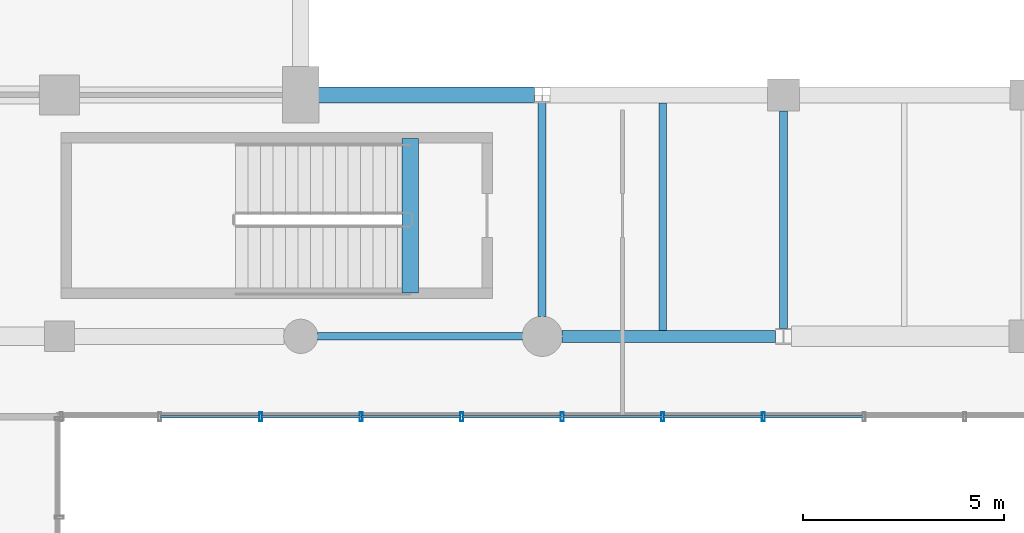
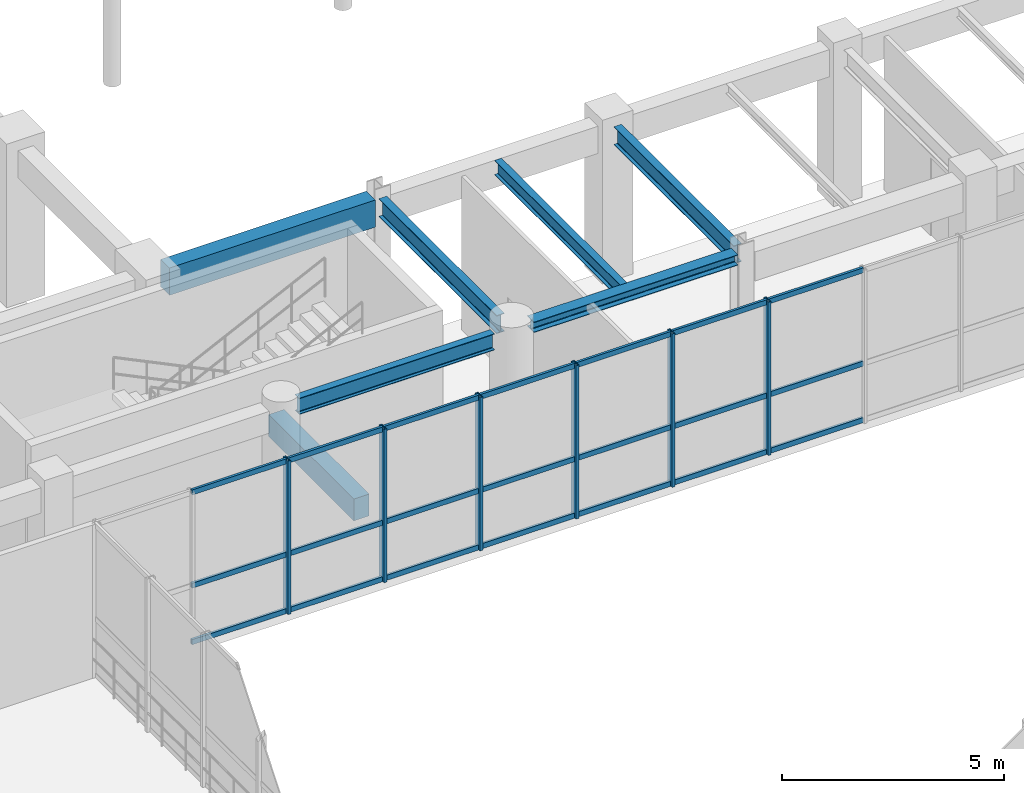
# One storey, part 27 of 133: 27 members, 7 beams, 1 element without a shape of its own.
"""IFC4 building model written with IfcOpenShell, lengths in metres."""

from ifc_helpers import new_model, si_unit, direction, frame, origin, origin_2d, place, context, subcontext, project, spatial, rectangle, hollow_rectangle, i_section, extrude, material, material_profile, profile_set, type_object, element, aggregate, save


model = new_model("IFC4")

# Units and contexts
model_context = context("Model", 3, precision=1e-05, world=origin(), true_north=direction((0.0, 1.0)))
body_context = subcontext(model_context, "Body", "Model", "MODEL_VIEW")
ifc_project = project(units=[si_unit("LENGTHUNIT", "METRE"), si_unit("AREAUNIT", "SQUARE_METRE"), si_unit("VOLUMEUNIT", "CUBIC_METRE"), si_unit("PLANEANGLEUNIT", "RADIAN"), si_unit("MASSUNIT", "GRAM", prefix="KILO"), si_unit("THERMODYNAMICTEMPERATUREUNIT", "KELVIN"), si_unit("POWERUNIT", "WATT")], contexts=[model_context])

# Site, building, storey
site_placement = place(None, origin())
site = spatial("IfcSite", under=ifc_project, at=site_placement, CompositionType="ELEMENT")
building_placement = place(site_placement, origin())
building = spatial("IfcBuilding", under=site, at=building_placement, Name="Phaisarnlok Congress Hotel", CompositionType="ELEMENT")
storey_placement = place(building_placement, frame((0.0, 0.0, 6.0)))
storey = spatial("IfcBuildingStorey", under=building, at=storey_placement, Name="L01", CompositionType="ELEMENT", Elevation=6.0)

# Beams
ifc_material_1 = material(Name="Concrete C40/50", Category="concrete")
ifc_material_profile_1 = material_profile(ifc_material_1, rectangle(XDim=0.39990234375, YDim=0.60009765625, at=origin_2d()), Name="RC 400x600")
ifc_profile_set_1 = profile_set([ifc_material_profile_1], Name="Concrete C40/50")
beam_type_1 = type_object("IfcBeamType", Name="BM-RC-400x600", PredefinedType="BEAM", material=ifc_profile_set_1)
beam_1_placement = place(storey_placement, frame((68.719970703125, 37.080078125, -0.300048828125), z_axis=(0.0, 1.0, 0.0), x_axis=(-1.0, 0.0, 0.0)))
element("IfcBeam", 1, at=beam_1_placement, inside=storey, type_object=beam_type_1, Name="Stair landing header beam B-02 (STAIR-POD-S L01)", PredefinedType="BEAM", context=body_context, shape_type="SweptSolid", body=[
    extrude(rectangle(XDim=0.39990234375, YDim=0.60009765625, at=origin_2d()), origin(), (0.0, 0.0, 1.0), 3.83984375),
])
ifc_material_2 = material(Name="Steel S355", Category="steel")
ifc_material_profile_2 = material_profile(ifc_material_2, i_section(OverallWidth=0.300048828125, OverallDepth=0.2900390625, WebThickness=0.008544921875, FlangeThickness=0.013916015625, FilletRadius=0.027099609375, at=origin_2d()), Name="HEA 300")
ifc_profile_set_2 = profile_set([ifc_material_profile_2], Name="Steel S355")
beam_type_2 = type_object("IfcBeamType", Name="BM-STL-HEA300", PredefinedType="BEAM", material=ifc_profile_set_2)
beam_2_placement = place(storey_placement, frame((72.4951171875, 36.0, 4.074951171875), z_axis=(1.0, 0.0, 0.0), x_axis=(0.0, 1.0, 0.0)))
element("IfcBeam", 2, at=beam_2_placement, inside=storey, type_object=beam_type_2, Name="Beam SB-05", PredefinedType="BEAM", context=body_context, shape_type="SweptSolid", body=[
    extrude(i_section(OverallWidth=0.300048828125, OverallDepth=0.2900390625, WebThickness=0.008544921875, FlangeThickness=0.013916015625, FilletRadius=0.027099609375, at=origin_2d()), origin(), (0.0, 0.0, 1.0), 5.309326171875),
])
ifc_material_profile_3 = material_profile(ifc_material_2, i_section(OverallWidth=0.18994140625, OverallDepth=0.449951171875, WebThickness=0.009521484375, FlangeThickness=0.0146484375, FilletRadius=0.02099609375, at=origin_2d()), Name="IPE 450")
ifc_profile_set_3 = profile_set([ifc_material_profile_3], Name="Steel S355")
beam_type_3 = type_object("IfcBeamType", Name="BM-STL-IPE450", PredefinedType="BEAM", material=ifc_profile_set_3)
beam_3_placement = place(storey_placement, frame((66.419921875, 36.0, 3.9951171875), z_axis=(1.0, 0.0, 0.0), x_axis=(0.0, 1.0, 0.0)))
element("IfcBeam", 3, at=beam_3_placement, inside=storey, type_object=beam_type_3, Name="Beam SB-01", PredefinedType="BEAM", context=body_context, shape_type="SweptSolid", body=[
    extrude(i_section(OverallWidth=0.18994140625, OverallDepth=0.449951171875, WebThickness=0.009521484375, FlangeThickness=0.0146484375, FilletRadius=0.02099609375, at=origin_2d()), origin(), (0.0, 0.0, 1.0), 5.0849609375),
])
ifc_material_profile_4 = material_profile(ifc_material_2, i_section(OverallWidth=0.199951171875, OverallDepth=0.5, WebThickness=0.01025390625, FlangeThickness=0.01611328125, FilletRadius=0.02099609375, at=origin_2d()), Name="IPE 500")
ifc_profile_set_4 = profile_set([ifc_material_profile_4], Name="Steel S355")
beam_type_4 = type_object("IfcBeamType", Name="BM-STL-IPE500", PredefinedType="BEAM", material=ifc_profile_set_4)
beam_4_placement = place(storey_placement, frame((72.0, 36.4951171875, 3.969970703125), z_axis=(0.0, 1.0, 0.0), x_axis=(-1.0, 0.0, 0.0)))
element("IfcBeam", 4, at=beam_4_placement, inside=storey, type_object=beam_type_4, Name="Beam SB-02", PredefinedType="BEAM", context=body_context, shape_type="SweptSolid", body=[
    extrude(i_section(OverallWidth=0.199951171875, OverallDepth=0.5, WebThickness=0.01025390625, FlangeThickness=0.01611328125, FilletRadius=0.02099609375, at=origin_2d()), origin(), (0.0, 0.0, 1.0), 5.310302734375),
])
beam_5_placement = place(storey_placement, frame((78.0, 36.194580078125, 3.969970703125), z_axis=(0.0, 1.0, 0.0), x_axis=(-1.0, 0.0, 0.0)))
element("IfcBeam", 5, at=beam_5_placement, inside=storey, type_object=beam_type_4, Name="Beam SB-02", PredefinedType="BEAM", context=body_context, shape_type="SweptSolid", body=[
    extrude(i_section(OverallWidth=0.199951171875, OverallDepth=0.5, WebThickness=0.01025390625, FlangeThickness=0.01611328125, FilletRadius=0.02099609375, at=origin_2d()), origin(), (0.0, 0.0, 1.0), 5.410400390625),
])

# Curtain wall, members
ifc_material_3 = material(Name="Thermally Broken Unitised Aluminium & Low-E Glazing", Category="aluminium")
curtain_wall_type = type_object("IfcCurtainWallType", Name="CW-UNIT-22", PredefinedType="NOTDEFINED", material=ifc_material_3)
curtain_wall_placement = place(storey_placement, origin())
curtain_wall = element("IfcCurtainWall", 6, at=curtain_wall_placement, inside=storey, type_object=curtain_wall_type, Name="Unitised curtain wall CW-22 (L01)", PredefinedType="NOTDEFINED")
ifc_material_4 = material(Name="Anodised Aluminium Alloy 6063-T6", Category="aluminium")
ifc_material_profile_5 = material_profile(ifc_material_4, hollow_rectangle(XDim=0.074951171875, YDim=0.219970703125, WallThickness=0.0048828125, at=origin_2d()), Name="ALU-M 75x220x5")
ifc_profile_set_5 = profile_set([ifc_material_profile_5], Name="Anodised Aluminium Alloy 6063-T6")
member_type_1 = type_object("IfcMemberType", Name="CWM-220", PredefinedType="MULLION", material=ifc_profile_set_5)
member_1_placement = place(storey_placement, frame((65.0, 34.0, 0.0), z_axis=(0.0, 0.0, 1.0), x_axis=(1.0, 0.0, 0.0)))
member_1 = element("IfcMember", 7, at=member_1_placement, type_object=member_type_1, Name="Curtain wall mullion CWM-02", PredefinedType="MULLION", context=body_context, shape_type="SweptSolid", body=[
    extrude(hollow_rectangle(XDim=0.074951171875, YDim=0.219970703125, WallThickness=0.0048828125, at=origin_2d()), origin(), (0.0, 0.0, 1.0), 4.219970703125),
])
member_2_placement = place(storey_placement, frame((67.5, 34.0, 0.0), z_axis=(0.0, 0.0, 1.0), x_axis=(1.0, 0.0, 0.0)))
member_2 = element("IfcMember", 8, at=member_2_placement, type_object=member_type_1, Name="Curtain wall mullion CWM-02", PredefinedType="MULLION", context=body_context, shape_type="SweptSolid", body=[
    extrude(hollow_rectangle(XDim=0.074951171875, YDim=0.219970703125, WallThickness=0.0048828125, at=origin_2d()), origin(), (0.0, 0.0, 1.0), 4.219970703125),
])
member_3_placement = place(storey_placement, frame((70.0, 34.0, 0.0), z_axis=(0.0, 0.0, 1.0), x_axis=(1.0, 0.0, 0.0)))
member_3 = element("IfcMember", 9, at=member_3_placement, type_object=member_type_1, Name="Curtain wall mullion CWM-02", PredefinedType="MULLION", context=body_context, shape_type="SweptSolid", body=[
    extrude(hollow_rectangle(XDim=0.074951171875, YDim=0.219970703125, WallThickness=0.0048828125, at=origin_2d()), origin(), (0.0, 0.0, 1.0), 4.219970703125),
])
member_4_placement = place(storey_placement, frame((72.5, 34.0, 0.0), z_axis=(0.0, 0.0, 1.0), x_axis=(1.0, 0.0, 0.0)))
member_4 = element("IfcMember", 10, at=member_4_placement, type_object=member_type_1, Name="Curtain wall mullion CWM-02", PredefinedType="MULLION", context=body_context, shape_type="SweptSolid", body=[
    extrude(hollow_rectangle(XDim=0.074951171875, YDim=0.219970703125, WallThickness=0.0048828125, at=origin_2d()), origin(), (0.0, 0.0, 1.0), 4.219970703125),
])
member_5_placement = place(storey_placement, frame((75.0, 34.0, 0.0), z_axis=(0.0, 0.0, 1.0), x_axis=(1.0, 0.0, 0.0)))
member_5 = element("IfcMember", 11, at=member_5_placement, type_object=member_type_1, Name="Curtain wall mullion CWM-02", PredefinedType="MULLION", context=body_context, shape_type="SweptSolid", body=[
    extrude(hollow_rectangle(XDim=0.074951171875, YDim=0.219970703125, WallThickness=0.0048828125, at=origin_2d()), origin(), (0.0, 0.0, 1.0), 4.219970703125),
])
member_6_placement = place(storey_placement, frame((77.5, 34.0, 0.0), z_axis=(0.0, 0.0, 1.0), x_axis=(1.0, 0.0, 0.0)))
member_6 = element("IfcMember", 12, at=member_6_placement, type_object=member_type_1, Name="Curtain wall mullion CWM-02", PredefinedType="MULLION", context=body_context, shape_type="SweptSolid", body=[
    extrude(hollow_rectangle(XDim=0.074951171875, YDim=0.219970703125, WallThickness=0.0048828125, at=origin_2d()), origin(), (0.0, 0.0, 1.0), 4.219970703125),
])
ifc_material_profile_6 = material_profile(ifc_material_4, hollow_rectangle(XDim=0.06494140625, YDim=0.139892578125, WallThickness=0.00390625, at=origin_2d()), Name="ALU-T 65x140x4")
ifc_profile_set_6 = profile_set([ifc_material_profile_6], Name="Anodised Aluminium Alloy 6063-T6")
member_type_2 = type_object("IfcMemberType", Name="CWT-150", PredefinedType="USERDEFINED", material=ifc_profile_set_6)
member_7_placement = place(storey_placement, frame((62.514892578125, 34.0, 0.050048828125), z_axis=(1.0, 0.0, 0.0), x_axis=(0.0, 1.0, 0.0)))
member_7 = element("IfcMember", 13, at=member_7_placement, type_object=member_type_2, Name="Curtain wall transom CWT-01", ObjectType="TRANSOM", PredefinedType="USERDEFINED", context=body_context, shape_type="SweptSolid", body=[
    extrude(hollow_rectangle(XDim=0.06494140625, YDim=0.139892578125, WallThickness=0.00390625, at=origin_2d()), origin(), (0.0, 0.0, 1.0), 2.47021484375),
])
member_8_placement = place(storey_placement, frame((62.514892578125, 34.0, 1.603515625), z_axis=(1.0, 0.0, 0.0), x_axis=(0.0, 1.0, 0.0)))
member_8 = element("IfcMember", 14, at=member_8_placement, type_object=member_type_2, Name="Curtain wall transom CWT-01", ObjectType="TRANSOM", PredefinedType="USERDEFINED", context=body_context, shape_type="SweptSolid", body=[
    extrude(hollow_rectangle(XDim=0.06494140625, YDim=0.139892578125, WallThickness=0.00390625, at=origin_2d()), origin(), (0.0, 0.0, 1.0), 2.47021484375),
])
member_9_placement = place(storey_placement, frame((62.514892578125, 34.0, 4.169921875), z_axis=(1.0, 0.0, 0.0), x_axis=(0.0, 1.0, 0.0)))
member_9 = element("IfcMember", 15, at=member_9_placement, type_object=member_type_2, Name="Curtain wall transom CWT-01", ObjectType="TRANSOM", PredefinedType="USERDEFINED", context=body_context, shape_type="SweptSolid", body=[
    extrude(hollow_rectangle(XDim=0.06494140625, YDim=0.139892578125, WallThickness=0.00390625, at=origin_2d()), origin(), (0.0, 0.0, 1.0), 2.47021484375),
])
member_10_placement = place(storey_placement, frame((65.014892578125, 34.0, 0.050048828125), z_axis=(1.0, 0.0, 0.0), x_axis=(0.0, 1.0, 0.0)))
member_10 = element("IfcMember", 16, at=member_10_placement, type_object=member_type_2, Name="Curtain wall transom CWT-01", ObjectType="TRANSOM", PredefinedType="USERDEFINED", context=body_context, shape_type="SweptSolid", body=[
    extrude(hollow_rectangle(XDim=0.06494140625, YDim=0.139892578125, WallThickness=0.00390625, at=origin_2d()), origin(), (0.0, 0.0, 1.0), 2.47021484375),
])
member_11_placement = place(storey_placement, frame((65.014892578125, 34.0, 1.603515625), z_axis=(1.0, 0.0, 0.0), x_axis=(0.0, 1.0, 0.0)))
member_11 = element("IfcMember", 17, at=member_11_placement, type_object=member_type_2, Name="Curtain wall transom CWT-01", ObjectType="TRANSOM", PredefinedType="USERDEFINED", context=body_context, shape_type="SweptSolid", body=[
    extrude(hollow_rectangle(XDim=0.06494140625, YDim=0.139892578125, WallThickness=0.00390625, at=origin_2d()), origin(), (0.0, 0.0, 1.0), 2.47021484375),
])
member_12_placement = place(storey_placement, frame((65.014892578125, 34.0, 4.169921875), z_axis=(1.0, 0.0, 0.0), x_axis=(0.0, 1.0, 0.0)))
member_12 = element("IfcMember", 18, at=member_12_placement, type_object=member_type_2, Name="Curtain wall transom CWT-01", ObjectType="TRANSOM", PredefinedType="USERDEFINED", context=body_context, shape_type="SweptSolid", body=[
    extrude(hollow_rectangle(XDim=0.06494140625, YDim=0.139892578125, WallThickness=0.00390625, at=origin_2d()), origin(), (0.0, 0.0, 1.0), 2.47021484375),
])
member_13_placement = place(storey_placement, frame((67.514892578125, 34.0, 0.050048828125), z_axis=(1.0, 0.0, 0.0), x_axis=(0.0, 1.0, 0.0)))
member_13 = element("IfcMember", 19, at=member_13_placement, type_object=member_type_2, Name="Curtain wall transom CWT-01", ObjectType="TRANSOM", PredefinedType="USERDEFINED", context=body_context, shape_type="SweptSolid", body=[
    extrude(hollow_rectangle(XDim=0.06494140625, YDim=0.139892578125, WallThickness=0.00390625, at=origin_2d()), origin(), (0.0, 0.0, 1.0), 2.47021484375),
])
member_14_placement = place(storey_placement, frame((67.514892578125, 34.0, 1.603515625), z_axis=(1.0, 0.0, 0.0), x_axis=(0.0, 1.0, 0.0)))
member_14 = element("IfcMember", 20, at=member_14_placement, type_object=member_type_2, Name="Curtain wall transom CWT-01", ObjectType="TRANSOM", PredefinedType="USERDEFINED", context=body_context, shape_type="SweptSolid", body=[
    extrude(hollow_rectangle(XDim=0.06494140625, YDim=0.139892578125, WallThickness=0.00390625, at=origin_2d()), origin(), (0.0, 0.0, 1.0), 2.47021484375),
])
member_15_placement = place(storey_placement, frame((67.514892578125, 34.0, 4.169921875), z_axis=(1.0, 0.0, 0.0), x_axis=(0.0, 1.0, 0.0)))
member_15 = element("IfcMember", 21, at=member_15_placement, type_object=member_type_2, Name="Curtain wall transom CWT-01", ObjectType="TRANSOM", PredefinedType="USERDEFINED", context=body_context, shape_type="SweptSolid", body=[
    extrude(hollow_rectangle(XDim=0.06494140625, YDim=0.139892578125, WallThickness=0.00390625, at=origin_2d()), origin(), (0.0, 0.0, 1.0), 2.47021484375),
])
member_16_placement = place(storey_placement, frame((70.014892578125, 34.0, 0.050048828125), z_axis=(1.0, 0.0, 0.0), x_axis=(0.0, 1.0, 0.0)))
member_16 = element("IfcMember", 22, at=member_16_placement, type_object=member_type_2, Name="Curtain wall transom CWT-01", ObjectType="TRANSOM", PredefinedType="USERDEFINED", context=body_context, shape_type="SweptSolid", body=[
    extrude(hollow_rectangle(XDim=0.06494140625, YDim=0.139892578125, WallThickness=0.00390625, at=origin_2d()), origin(), (0.0, 0.0, 1.0), 2.47021484375),
])
member_17_placement = place(storey_placement, frame((70.014892578125, 34.0, 1.603515625), z_axis=(1.0, 0.0, 0.0), x_axis=(0.0, 1.0, 0.0)))
member_17 = element("IfcMember", 23, at=member_17_placement, type_object=member_type_2, Name="Curtain wall transom CWT-01", ObjectType="TRANSOM", PredefinedType="USERDEFINED", context=body_context, shape_type="SweptSolid", body=[
    extrude(hollow_rectangle(XDim=0.06494140625, YDim=0.139892578125, WallThickness=0.00390625, at=origin_2d()), origin(), (0.0, 0.0, 1.0), 2.47021484375),
])
member_18_placement = place(storey_placement, frame((70.014892578125, 34.0, 4.169921875), z_axis=(1.0, 0.0, 0.0), x_axis=(0.0, 1.0, 0.0)))
member_18 = element("IfcMember", 24, at=member_18_placement, type_object=member_type_2, Name="Curtain wall transom CWT-01", ObjectType="TRANSOM", PredefinedType="USERDEFINED", context=body_context, shape_type="SweptSolid", body=[
    extrude(hollow_rectangle(XDim=0.06494140625, YDim=0.139892578125, WallThickness=0.00390625, at=origin_2d()), origin(), (0.0, 0.0, 1.0), 2.47021484375),
])
member_19_placement = place(storey_placement, frame((72.514892578125, 34.0, 0.050048828125), z_axis=(1.0, 0.0, 0.0), x_axis=(0.0, 1.0, 0.0)))
member_19 = element("IfcMember", 25, at=member_19_placement, type_object=member_type_2, Name="Curtain wall transom CWT-01", ObjectType="TRANSOM", PredefinedType="USERDEFINED", context=body_context, shape_type="SweptSolid", body=[
    extrude(hollow_rectangle(XDim=0.06494140625, YDim=0.139892578125, WallThickness=0.00390625, at=origin_2d()), origin(), (0.0, 0.0, 1.0), 2.47021484375),
])
member_20_placement = place(storey_placement, frame((72.514892578125, 34.0, 1.603515625), z_axis=(1.0, 0.0, 0.0), x_axis=(0.0, 1.0, 0.0)))
member_20 = element("IfcMember", 26, at=member_20_placement, type_object=member_type_2, Name="Curtain wall transom CWT-01", ObjectType="TRANSOM", PredefinedType="USERDEFINED", context=body_context, shape_type="SweptSolid", body=[
    extrude(hollow_rectangle(XDim=0.06494140625, YDim=0.139892578125, WallThickness=0.00390625, at=origin_2d()), origin(), (0.0, 0.0, 1.0), 2.47021484375),
])
member_21_placement = place(storey_placement, frame((72.514892578125, 34.0, 4.169921875), z_axis=(1.0, 0.0, 0.0), x_axis=(0.0, 1.0, 0.0)))
member_21 = element("IfcMember", 27, at=member_21_placement, type_object=member_type_2, Name="Curtain wall transom CWT-01", ObjectType="TRANSOM", PredefinedType="USERDEFINED", context=body_context, shape_type="SweptSolid", body=[
    extrude(hollow_rectangle(XDim=0.06494140625, YDim=0.139892578125, WallThickness=0.00390625, at=origin_2d()), origin(), (0.0, 0.0, 1.0), 2.47021484375),
])
member_22_placement = place(storey_placement, frame((75.014892578125, 34.0, 0.050048828125), z_axis=(1.0, 0.0, 0.0), x_axis=(0.0, 1.0, 0.0)))
member_22 = element("IfcMember", 28, at=member_22_placement, type_object=member_type_2, Name="Curtain wall transom CWT-01", ObjectType="TRANSOM", PredefinedType="USERDEFINED", context=body_context, shape_type="SweptSolid", body=[
    extrude(hollow_rectangle(XDim=0.06494140625, YDim=0.139892578125, WallThickness=0.00390625, at=origin_2d()), origin(), (0.0, 0.0, 1.0), 2.47021484375),
])
member_23_placement = place(storey_placement, frame((75.014892578125, 34.0, 1.603515625), z_axis=(1.0, 0.0, 0.0), x_axis=(0.0, 1.0, 0.0)))
member_23 = element("IfcMember", 29, at=member_23_placement, type_object=member_type_2, Name="Curtain wall transom CWT-01", ObjectType="TRANSOM", PredefinedType="USERDEFINED", context=body_context, shape_type="SweptSolid", body=[
    extrude(hollow_rectangle(XDim=0.06494140625, YDim=0.139892578125, WallThickness=0.00390625, at=origin_2d()), origin(), (0.0, 0.0, 1.0), 2.47021484375),
])
member_24_placement = place(storey_placement, frame((75.014892578125, 34.0, 4.169921875), z_axis=(1.0, 0.0, 0.0), x_axis=(0.0, 1.0, 0.0)))
member_24 = element("IfcMember", 30, at=member_24_placement, type_object=member_type_2, Name="Curtain wall transom CWT-01", ObjectType="TRANSOM", PredefinedType="USERDEFINED", context=body_context, shape_type="SweptSolid", body=[
    extrude(hollow_rectangle(XDim=0.06494140625, YDim=0.139892578125, WallThickness=0.00390625, at=origin_2d()), origin(), (0.0, 0.0, 1.0), 2.47021484375),
])
member_25_placement = place(storey_placement, frame((77.514892578125, 34.0, 0.050048828125), z_axis=(1.0, 0.0, 0.0), x_axis=(0.0, 1.0, 0.0)))
member_25 = element("IfcMember", 31, at=member_25_placement, type_object=member_type_2, Name="Curtain wall transom CWT-01", ObjectType="TRANSOM", PredefinedType="USERDEFINED", context=body_context, shape_type="SweptSolid", body=[
    extrude(hollow_rectangle(XDim=0.06494140625, YDim=0.139892578125, WallThickness=0.00390625, at=origin_2d()), origin(), (0.0, 0.0, 1.0), 2.47021484375),
])
member_26_placement = place(storey_placement, frame((77.514892578125, 34.0, 1.603515625), z_axis=(1.0, 0.0, 0.0), x_axis=(0.0, 1.0, 0.0)))
member_26 = element("IfcMember", 32, at=member_26_placement, type_object=member_type_2, Name="Curtain wall transom CWT-01", ObjectType="TRANSOM", PredefinedType="USERDEFINED", context=body_context, shape_type="SweptSolid", body=[
    extrude(hollow_rectangle(XDim=0.06494140625, YDim=0.139892578125, WallThickness=0.00390625, at=origin_2d()), origin(), (0.0, 0.0, 1.0), 2.47021484375),
])
member_27_placement = place(storey_placement, frame((77.514892578125, 34.0, 4.169921875), z_axis=(1.0, 0.0, 0.0), x_axis=(0.0, 1.0, 0.0)))
member_27 = element("IfcMember", 33, at=member_27_placement, type_object=member_type_2, Name="Curtain wall transom CWT-01", ObjectType="TRANSOM", PredefinedType="USERDEFINED", context=body_context, shape_type="SweptSolid", body=[
    extrude(hollow_rectangle(XDim=0.06494140625, YDim=0.139892578125, WallThickness=0.00390625, at=origin_2d()), origin(), (0.0, 0.0, 1.0), 2.47021484375),
])
aggregate(curtain_wall, [member_1, member_2, member_3, member_4, member_5, member_6, member_7, member_8, member_9, member_10, member_11, member_12, member_13, member_14, member_15, member_16, member_17, member_18, member_19, member_20, member_21, member_22, member_23, member_24, member_25, member_26, member_27])

# Beams
ifc_material_profile_7 = material_profile(ifc_material_2, i_section(OverallWidth=0.179931640625, OverallDepth=0.39990234375, WebThickness=0.008544921875, FlangeThickness=0.013427734375, FilletRadius=0.02099609375, at=origin_2d()), Name="IPE 400")
ifc_profile_set_7 = profile_set([ifc_material_profile_7], Name="Steel S355")
beam_type_5 = type_object("IfcBeamType", Name="JS-STL-IPE400", PredefinedType="JOIST", material=ifc_profile_set_7)
beam_6_placement = place(storey_placement, frame((75.0, 36.14501953125, 4.02001953125), z_axis=(0.0, 1.0, 0.0), x_axis=(-1.0, 0.0, 0.0)))
element("IfcBeam", 34, at=beam_6_placement, inside=storey, type_object=beam_type_5, Name="Secondary floor joist J-05", PredefinedType="JOIST", context=body_context, shape_type="SweptSolid", body=[
    extrude(i_section(OverallWidth=0.179931640625, OverallDepth=0.39990234375, WebThickness=0.008544921875, FlangeThickness=0.013427734375, FilletRadius=0.02099609375, at=origin_2d()), origin(), (0.0, 0.0, 1.0), 5.659912109375),
])
ifc_material_profile_8 = material_profile(ifc_material_1, rectangle(XDim=0.39990234375, YDim=0.75, at=origin_2d()), Name="RC 400x750")
ifc_profile_set_8 = profile_set([ifc_material_profile_8], Name="Concrete C40/50")
beam_type_6 = type_object("IfcBeamType", Name="SP-RC-400x750", PredefinedType="SPANDREL", material=ifc_profile_set_8)
beam_7_placement = place(storey_placement, frame((66.445068359375, 42.0, 3.844970703125), z_axis=(1.0, 0.0, 0.0), x_axis=(0.0, 1.0, 0.0)))
element("IfcBeam", 35, at=beam_7_placement, inside=storey, type_object=beam_type_6, Name="Beam SP-02", PredefinedType="SPANDREL", context=body_context, shape_type="SweptSolid", body=[
    extrude(rectangle(XDim=0.39990234375, YDim=0.75, at=origin_2d()), origin(), (0.0, 0.0, 1.0), 5.359375),
])

save(model, "model.ifc")
